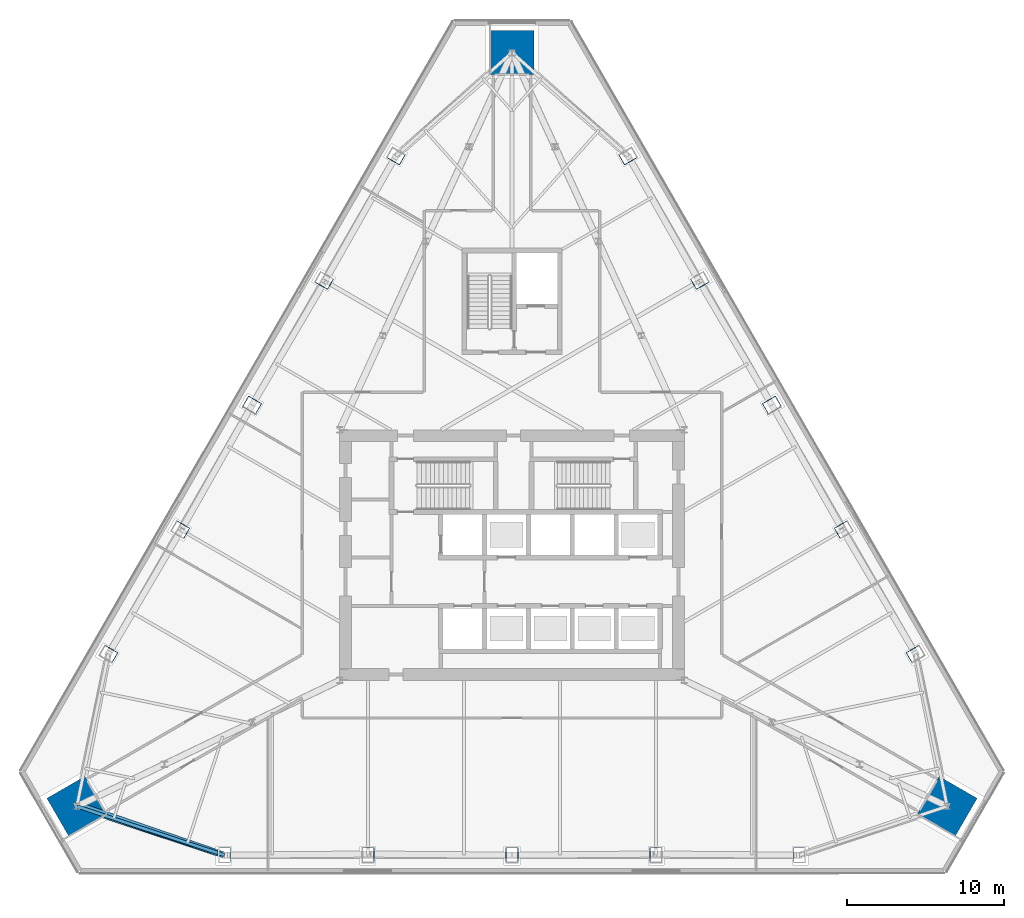
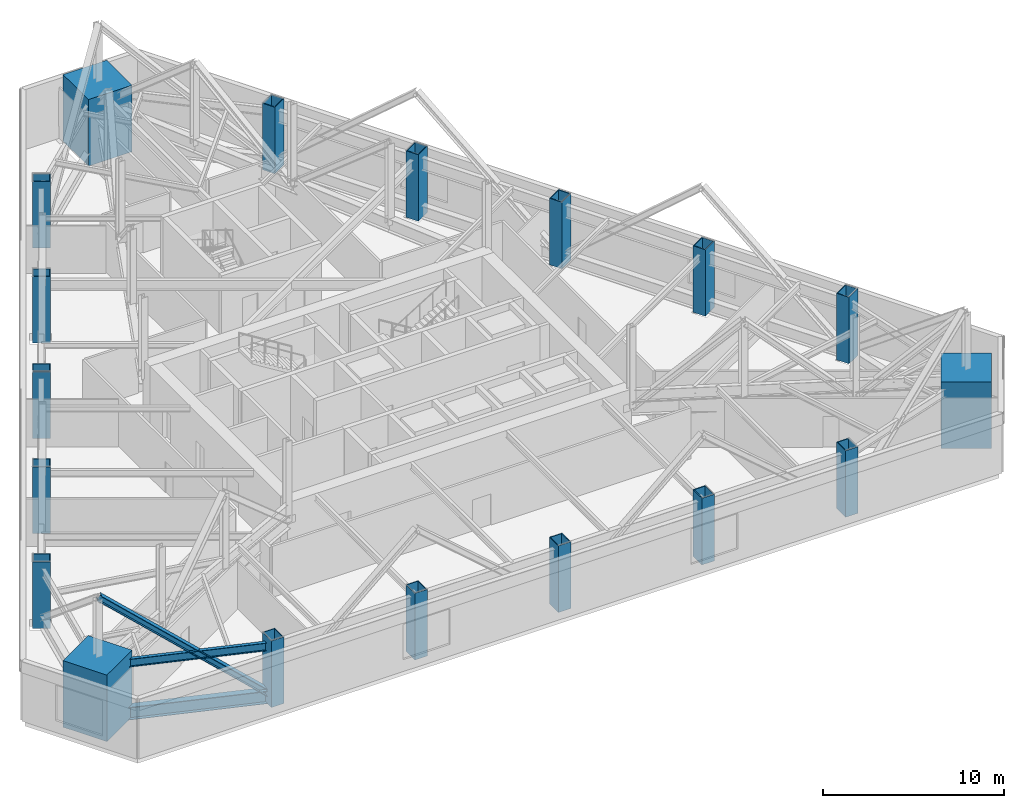
# One storey, part 1 of 13: 18 columns, 2 members, 1 beam.
"""IFC4 building model written with IfcOpenShell, lengths in metres."""

from ifc_helpers import new_model, si_unit, direction, frame, origin, origin_2d, place, context, subcontext, project, spatial, rectangle, hollow_rectangle, i_section, extrude, material, material_profile, profile_set, type_object, element, save


model = new_model("IFC4")

# Units and contexts
model_context = context("Model", 3, precision=1e-05, world=origin(), true_north=direction((0.0, 1.0)))
body_context = subcontext(model_context, "Body", "Model", "MODEL_VIEW")
ifc_project = project(units=[si_unit("LENGTHUNIT", "METRE"), si_unit("AREAUNIT", "SQUARE_METRE"), si_unit("VOLUMEUNIT", "CUBIC_METRE"), si_unit("PLANEANGLEUNIT", "RADIAN"), si_unit("MASSUNIT", "GRAM", prefix="KILO")], contexts=[model_context])

# Site, building, storey
site_placement = place(None, origin())
site = spatial("IfcSite", under=ifc_project, at=site_placement, CompositionType="ELEMENT")
building_placement = place(site_placement, origin())
building = spatial("IfcBuilding", under=site, at=building_placement, Name="Firuza Gate Tower and Library", CompositionType="ELEMENT")
storey_placement = place(building_placement, frame((0.0, 0.0, 146.800048828125)))
storey = spatial("IfcBuildingStorey", under=building, at=storey_placement, Name="L33", CompositionType="ELEMENT", Elevation=146.800048828125)

# Columns
ifc_material_1 = material(Name="Steel S355", Category="steel")
ifc_material_profile_1 = material_profile(ifc_material_1, hollow_rectangle(XDim=0.800048828125, YDim=1.0, WallThickness=0.050048828125, at=origin_2d()))
ifc_profile_set_1 = profile_set([ifc_material_profile_1], Name="Steel S355")
column_type_1 = type_object("IfcColumnType", Name="BU1000x800x50 Composite box column", PredefinedType="COLUMN", material=ifc_profile_set_1)
for number, where, z_axis, x_axis, name in (
    (1, (56.63330078125, 55.837158203125, -0.00048828125), (0.0, 0.0, 1.0), (1.0, 0.0, 0.0), "Column S1 L33"),
    (2, (65.816650390625, 55.837158203125, -0.00048828125), (0.0, 0.0, 1.0), (1.0, 0.0, 0.0), "Column S2 L33"),
    (3, (75.0, 55.837158203125, -0.00048828125), (0.0, 0.0, 1.0), (1.0, 0.0, 0.0), "Column S3 L33"),
    (4, (84.183349609375, 55.837158203125, -0.00048828125), (0.0, 0.0, 1.0), (1.0, 0.0, 0.0), "Column S4 L33"),
    (5, (93.36669921875, 55.837158203125, -0.00048828125), (0.0, 0.0, 1.0), (1.0, 0.0, 0.0), "Column S5 L33"),
    (6, (100.77880859375, 68.675537109375, -0.00048828125), (0.0, 0.0, 1.0), (-0.5, 0.866025403784, 0.0), "Column E1 L33"),
    (7, (96.187255859375, 76.62841796875, -0.00048828125), (0.0, 0.0, 1.0), (-0.5, 0.866025403784, 0.0), "Column E2 L33"),
    (8, (91.595458984375, 84.58154296875, -0.00048828125), (0.0, 0.0, 1.0), (-0.5, 0.866025403784, 0.0), "Column E3 L33"),
    (9, (87.00390625, 92.534423828125, -0.00048828125), (0.0, 0.0, 1.0), (-0.5, 0.866025403784, 0.0), "Column E4 L33"),
    (10, (82.412353515625, 100.487548828125, -0.00048828125), (0.0, 0.0, 1.0), (-0.5, 0.866025403784, 0.0), "Column E5 L33"),
    (11, (67.587646484375, 100.487548828125, -0.00048828125), (0.0, 0.0, 1.0), (-0.5, -0.866025403784, 0.0), "Column W1 L33"),
    (12, (62.99609375, 92.534423828125, -0.00048828125), (0.0, 0.0, 1.0), (-0.5, -0.866025403784, 0.0), "Column W2 L33"),
    (13, (58.404541015625, 84.58154296875, -0.00048828125), (0.0, 0.0, 1.0), (-0.5, -0.866025403784, 0.0), "Column W3 L33"),
    (14, (53.812744140625, 76.62841796875, -0.00048828125), (0.0, 0.0, 1.0), (-0.5, -0.866025403784, 0.0), "Column W4 L33"),
    (15, (49.22119140625, 68.675537109375, -0.00048828125), (0.0, 0.0, 1.0), (-0.5, -0.866025403784, 0.0), "Column W5 L33"),
):
    element("IfcColumn", number, at=place(storey_placement, frame(where, z_axis=z_axis, x_axis=x_axis)), inside=storey, type_object=column_type_1, Name=name, PredefinedType="COLUMN", context=body_context, shape_type="SweptSolid", body=[
        extrude(hollow_rectangle(XDim=0.800048828125, YDim=1.0, WallThickness=0.050048828125, at=origin_2d()), origin(), (0.0, 0.0, 1.0), 4.50048828125),
    ])
ifc_material_2 = material(Name="Concrete C80/95", Category="concrete")
ifc_material_profile_2 = material_profile(ifc_material_2, rectangle(XDim=2.800048828125, YDim=2.800048828125, at=origin_2d()))
ifc_profile_set_2 = profile_set([ifc_material_profile_2], Name="Concrete C80/95")
column_type_2 = type_object("IfcColumnType", Name="Mega column 2800x2800 C80/95", PredefinedType="COLUMN", material=ifc_profile_set_2)
for number, where, z_axis, x_axis, name in (
    (16, (102.791259765625, 58.954833984375, 0.0), (0.0, 0.0, 1.0), (0.5, 0.866025403784, 0.0), "Mega column SE L33"),
    (17, (75.0, 107.090576171875, 0.0), (0.0, 0.0, 1.0), (-1.0, 0.0, 0.0), "Mega column N L33"),
    (18, (47.208740234375, 58.954833984375, 0.0), (0.0, 0.0, 1.0), (0.5, -0.866025403784, 0.0), "Mega column SW L33"),
):
    element("IfcColumn", number, at=place(storey_placement, frame(where, z_axis=z_axis, x_axis=x_axis)), inside=storey, type_object=column_type_2, Name=name, PredefinedType="COLUMN", context=body_context, shape_type="SweptSolid", body=[
        extrude(rectangle(XDim=2.800048828125, YDim=2.800048828125, at=origin_2d()), origin(), (0.0, 0.0, 1.0), 4.5),
    ])

# Member
ifc_material_3 = material(Name="Steel S355", Category="steel")
ifc_material_profile_3 = material_profile(ifc_material_3, i_section(OverallWidth=0.39404296875, OverallDepth=0.375, WebThickness=0.017333984375, FlangeThickness=0.027587890625, at=origin_2d()))
ifc_profile_set_3 = profile_set([ifc_material_profile_3], Name="Steel S355")
member_type_1 = type_object("IfcMemberType", Name="W360x216 Belt truss diagonal", PredefinedType="BRACE", material=ifc_profile_set_3)
member_1_placement = place(storey_placement, frame((47.333740234375, 59.02685546875, 8.37255859375), z_axis=(0.73570053784, -0.252341170536, -0.628544868943), x_axis=(0.324440504545, 0.945906104754, 0.0)))
element("IfcMember", 19, at=member_1_placement, inside=storey, type_object=member_type_1, Name="Belt truss diagonal L33 2", PredefinedType="BRACE", context=body_context, shape_type="SweptSolid", body=[
    extrude(i_section(OverallWidth=0.39404296875, OverallDepth=0.375, WebThickness=0.017333984375, FlangeThickness=0.027587890625, at=origin_2d()), origin(), (0.0, 0.0, 1.0), 12.640380859375),
])

# Beam
ifc_material_4 = material(Name="Steel S355", Category="steel")
ifc_material_profile_4 = material_profile(ifc_material_4, i_section(OverallWidth=0.212890625, OverallDepth=0.5390625, WebThickness=0.01171875, FlangeThickness=0.018798828125, at=origin_2d()))
ifc_profile_set_4 = profile_set([ifc_material_profile_4], Name="Steel S355")
beam_type = type_object("IfcBeamType", Name="W530x109 Edge beam", PredefinedType="SPANDREL", material=ifc_profile_set_4)
beam_placement = place(storey_placement, frame((47.208740234375, 58.954833984375, 3.780517578125), z_axis=(0.949401438571, -0.314065134071, 0.0), x_axis=(0.314065134071, 0.949401438571, 0.0)))
element("IfcBeam", 20, at=beam_placement, inside=storey, type_object=beam_type, Name="Edge beam L33 e10", PredefinedType="SPANDREL", context=body_context, shape_type="SweptSolid", body=[
    extrude(i_section(OverallWidth=0.212890625, OverallDepth=0.5390625, WebThickness=0.01171875, FlangeThickness=0.018798828125, at=origin_2d()), origin(), (0.0, 0.0, 1.0), 9.9267578125),
])

# Member
ifc_material_5 = material(Name="Steel S355", Category="steel")
ifc_material_profile_5 = material_profile(ifc_material_5, i_section(OverallWidth=0.39990234375, OverallDepth=0.85498046875, WebThickness=0.018310546875, FlangeThickness=0.029296875, at=origin_2d()))
ifc_profile_set_5 = profile_set([ifc_material_profile_5], Name="Steel S355")
member_type_2 = type_object("IfcMemberType", Name="W840x299 Belt truss chord", PredefinedType="CHORD", material=ifc_profile_set_5)
member_2_placement = place(storey_placement, frame((47.208740234375, 58.954833984375, 0.427490234375), z_axis=(0.949401438571, -0.314065134071, 0.0), x_axis=(0.314065134071, 0.949401438571, 0.0)))
element("IfcMember", 21, at=member_2_placement, inside=storey, type_object=member_type_2, Name="Belt truss bottom chord L33 2", PredefinedType="CHORD", context=body_context, shape_type="SweptSolid", body=[
    extrude(i_section(OverallWidth=0.39990234375, OverallDepth=0.85498046875, WebThickness=0.018310546875, FlangeThickness=0.029296875, at=origin_2d()), origin(), (0.0, 0.0, 1.0), 9.9267578125),
])

save(model, "model.ifc")
